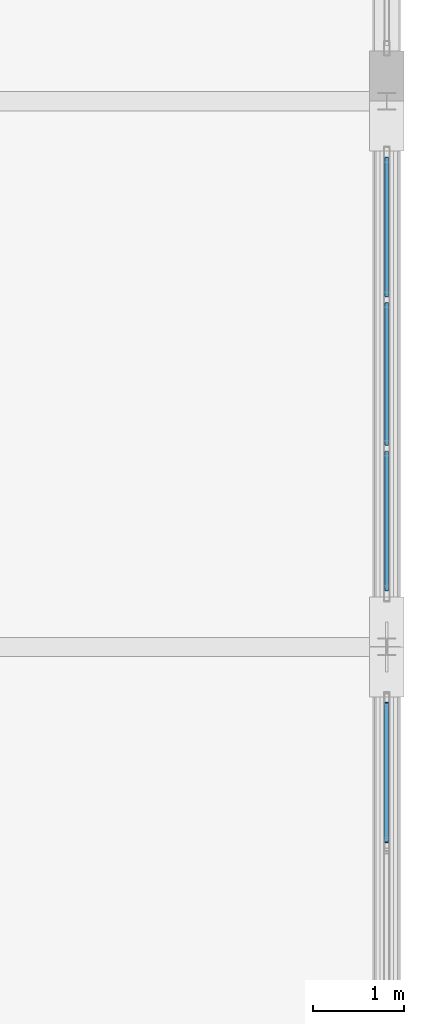
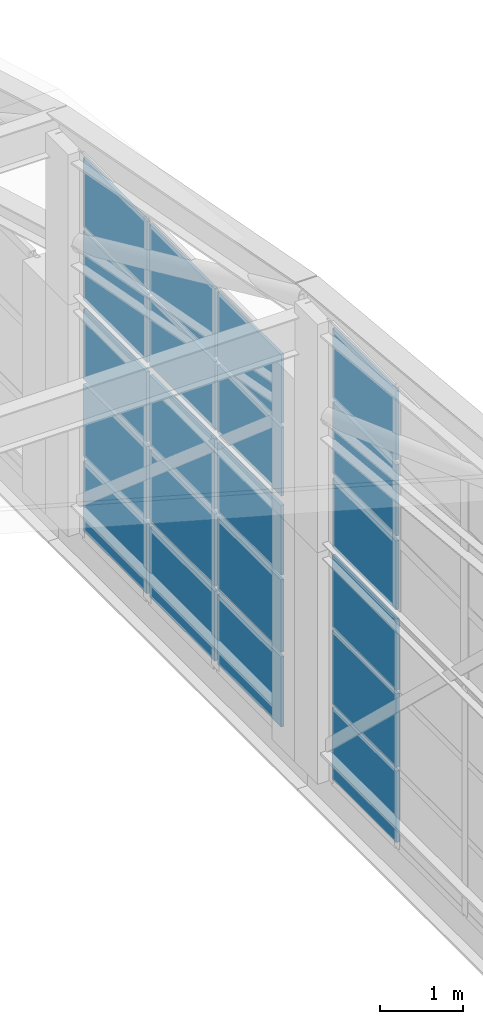
# One storey, part 165 of 204: 21 plates, 4 elements without a shape of their own.
"""IFC4 building model written with IfcOpenShell, lengths in metres."""

from ifc_helpers import new_model, si_unit, direction, frame, origin, origin_2d, place, context, subcontext, project, spatial, rectangle, extrude, material, layer, layer_set, type_object, element, aggregate, save


model = new_model("IFC4")

# Units and contexts
model_context = context("Model", 3, precision=1e-05, world=origin(), true_north=direction((0.0, 1.0)))
body_context = subcontext(model_context, "Body", "Model", "MODEL_VIEW")
ifc_project = project(units=[si_unit("LENGTHUNIT", "METRE"), si_unit("AREAUNIT", "SQUARE_METRE"), si_unit("VOLUMEUNIT", "CUBIC_METRE"), si_unit("PLANEANGLEUNIT", "RADIAN"), si_unit("MASSUNIT", "GRAM", prefix="KILO")], contexts=[model_context])

# Site, building, storey
site_placement = place(None, origin())
site = spatial("IfcSite", under=ifc_project, at=site_placement, CompositionType="ELEMENT")
building_placement = place(site_placement, origin())
building = spatial("IfcBuilding", under=site, at=building_placement, Name="Zilviju Railside Exhibition Hall", CompositionType="ELEMENT")
storey_placement = place(building_placement, frame((0.0, 0.0, 21.0)))
storey = spatial("IfcBuildingStorey", under=building, at=storey_placement, Name="RF", CompositionType="ELEMENT", Elevation=21.0)

# Curtain wall, plates
ifc_material_1 = material(Name="Thermally broken aluminium-steel triple-glazed curtain wall", Category="steel")
ifc_layer_1 = layer(ifc_material_1, 0.179931640625)
ifc_layer_set_1 = layer_set([ifc_layer_1], Name="Thermally broken aluminium-steel triple-glazed curtain wall")
curtain_wall_type_1 = type_object("IfcCurtainWallType", Name="CW-BAY-06", PredefinedType="USERDEFINED", material=ifc_layer_set_1)
curtain_wall_1_placement = place(storey_placement, origin())
curtain_wall_1 = element("IfcCurtainWall", 1, at=curtain_wall_1_placement, inside=storey, type_object=curtain_wall_type_1, Name="North Hall Crown Arch Tympanum Glazing East P7", ObjectType="GLAZED CURTAIN WALL", PredefinedType="USERDEFINED")
ifc_material_2 = material(Name="Triple-glazed solar-control glass unit", Category="glass")
ifc_layer_2 = layer(ifc_material_2, 0.0380859375)
ifc_layer_set_2 = layer_set([ifc_layer_2], Name="Triple-glazed solar-control glass unit")
plate_type_1 = type_object("IfcPlateType", Name="CWP-IGU-38", PredefinedType="CURTAIN_PANEL", material=ifc_layer_set_2)
plate_1_placement = place(storey_placement, frame((216.0, 124.6171875, -0.13525390625), z_axis=(0.0, 0.0, 1.0), x_axis=(0.0, -1.0, 0.0)))
plate_1 = element("IfcPlate", 2, at=plate_1_placement, type_object=plate_type_1, Name="CW-06 panel 1.1", PredefinedType="CURTAIN_PANEL", context=body_context, shape_type="SweptSolid", body=[
    extrude(rectangle(XDim=1.535888671875, YDim=0.0380859375, at=origin_2d()), origin(), (0.0, 0.0, 1.0), 1.007568359375),
])
plate_2_placement = place(storey_placement, frame((216.0, 124.6171875, 0.9375), z_axis=(0.0, 0.0, 1.0), x_axis=(0.0, -1.0, 0.0)))
plate_2 = element("IfcPlate", 3, at=plate_2_placement, type_object=plate_type_1, Name="CW-06 panel 1.2", PredefinedType="CURTAIN_PANEL", context=body_context, shape_type="SweptSolid", body=[
    extrude(rectangle(XDim=1.535888671875, YDim=0.0380859375, at=origin_2d()), origin(), (0.0, 0.0, 1.0), 1.00732421875),
])
plate_3_placement = place(storey_placement, frame((216.0, 123.0, -0.13525390625), z_axis=(0.0, 0.0, 1.0), x_axis=(0.0, -1.0, 0.0)))
plate_3 = element("IfcPlate", 4, at=plate_3_placement, type_object=plate_type_1, Name="CW-06 panel 2.1", PredefinedType="CURTAIN_PANEL", context=body_context, shape_type="SweptSolid", body=[
    extrude(rectangle(XDim=1.568359375, YDim=0.0380859375, at=origin_2d()), origin(), (0.0, 0.0, 1.0), 1.007568359375),
])
plate_4_placement = place(storey_placement, frame((216.0, 123.0, 0.9375), z_axis=(0.0, 0.0, 1.0), x_axis=(0.0, -1.0, 0.0)))
plate_4 = element("IfcPlate", 5, at=plate_4_placement, type_object=plate_type_1, Name="CW-06 panel 2.2", PredefinedType="CURTAIN_PANEL", context=body_context, shape_type="SweptSolid", body=[
    extrude(rectangle(XDim=1.568359375, YDim=0.0380859375, at=origin_2d()), origin(), (0.0, 0.0, 1.0), 1.00732421875),
])
plate_5_placement = place(storey_placement, frame((216.0, 121.3828125, -0.13525390625), z_axis=(0.0, 0.0, 1.0), x_axis=(0.0, -1.0, 0.0)))
plate_5 = element("IfcPlate", 6, at=plate_5_placement, type_object=plate_type_1, Name="CW-06 panel 3.1", PredefinedType="CURTAIN_PANEL", context=body_context, shape_type="SweptSolid", body=[
    extrude(rectangle(XDim=1.535888671875, YDim=0.0380859375, at=origin_2d()), origin(), (0.0, 0.0, 1.0), 1.007568359375),
])
plate_6_placement = place(storey_placement, frame((216.0, 121.3828125, 0.9375), z_axis=(0.0, 0.0, 1.0), x_axis=(0.0, -1.0, 0.0)))
plate_6 = element("IfcPlate", 7, at=plate_6_placement, type_object=plate_type_1, Name="CW-06 panel 3.2", PredefinedType="CURTAIN_PANEL", context=body_context, shape_type="SweptSolid", body=[
    extrude(rectangle(XDim=1.535888671875, YDim=0.0380859375, at=origin_2d()), origin(), (0.0, 0.0, 1.0), 1.00732421875),
])
aggregate(curtain_wall_1, [plate_1, plate_2, plate_3, plate_4, plate_5, plate_6])

ifc_layer_3 = layer(ifc_material_1, 0.179931640625)
ifc_layer_set_3 = layer_set([ifc_layer_3], Name="Thermally broken aluminium-steel triple-glazed curtain wall")
curtain_wall_type_2 = type_object("IfcCurtainWallType", Name="CW-BAY-18", PredefinedType="USERDEFINED", material=ifc_layer_set_3)
curtain_wall_2_placement = place(storey_placement, origin())
curtain_wall_2 = element("IfcCurtainWall", 8, at=curtain_wall_2_placement, inside=storey, type_object=curtain_wall_type_2, Name="North Hall Arch Lower Tympanum Glazing East P6", ObjectType="GLAZED CURTAIN WALL", PredefinedType="USERDEFINED")
ifc_material_3 = material(Name="Triple-glazed low-E argon insulating glass unit", Category="glass")
ifc_layer_4 = layer(ifc_material_3, 0.0439453125)
ifc_layer_set_4 = layer_set([ifc_layer_4], Name="Triple-glazed low-E argon insulating glass unit")
plate_type_2 = type_object("IfcPlateType", Name="CWP-IGU-44", PredefinedType="CURTAIN_PANEL", material=ifc_layer_set_4)
plate_7_placement = place(storey_placement, frame((216.0, 118.61962890625, -3.544921875), z_axis=(0.0, 0.0, 1.0), x_axis=(0.0, -1.0, 0.0)))
plate_7 = element("IfcPlate", 9, at=plate_7_placement, type_object=plate_type_2, Name="CW-18 panel 1.1", PredefinedType="CURTAIN_PANEL", context=body_context, shape_type="SweptSolid", body=[
    extrude(rectangle(XDim=1.55078125, YDim=0.0439453125, at=origin_2d()), origin(), (0.0, 0.0, 1.0), 1.050537109375),
])
plate_8_placement = place(storey_placement, frame((216.0, 118.61962890625, -2.439453125), z_axis=(0.0, 0.0, 1.0), x_axis=(0.0, -1.0, 0.0)))
plate_8 = element("IfcPlate", 10, at=plate_8_placement, type_object=plate_type_2, Name="CW-18 panel 1.2", PredefinedType="CURTAIN_PANEL", context=body_context, shape_type="SweptSolid", body=[
    extrude(rectangle(XDim=1.55078125, YDim=0.0439453125, at=origin_2d()), origin(), (0.0, 0.0, 1.0), 1.0791015625),
])
plate_9_placement = place(storey_placement, frame((216.0, 118.61962890625, -1.3056640625), z_axis=(0.0, 0.0, 1.0), x_axis=(0.0, -1.0, 0.0)))
plate_9 = element("IfcPlate", 11, at=plate_9_placement, type_object=plate_type_2, Name="CW-18 panel 1.3", PredefinedType="CURTAIN_PANEL", context=body_context, shape_type="SweptSolid", body=[
    extrude(rectangle(XDim=1.55078125, YDim=0.0439453125, at=origin_2d()), origin(), (0.0, 0.0, 1.0), 1.050537109375),
])
aggregate(curtain_wall_2, [plate_7, plate_8, plate_9])

ifc_layer_5 = layer(ifc_material_1, 0.179931640625)
ifc_layer_set_5 = layer_set([ifc_layer_5], Name="Thermally broken aluminium-steel triple-glazed curtain wall")
curtain_wall_type_3 = type_object("IfcCurtainWallType", Name="CW-BAY-19", PredefinedType="USERDEFINED", material=ifc_layer_set_5)
curtain_wall_3_placement = place(storey_placement, origin())
curtain_wall_3 = element("IfcCurtainWall", 12, at=curtain_wall_3_placement, inside=storey, type_object=curtain_wall_type_3, Name="North Hall Arch Lower Tympanum Glazing East P7", ObjectType="GLAZED CURTAIN WALL", PredefinedType="USERDEFINED")
plate_10_placement = place(storey_placement, frame((216.0, 124.61572265625, -3.5302734375), z_axis=(0.0, 0.0, 1.0), x_axis=(0.0, -1.0, 0.0)))
plate_10 = element("IfcPlate", 13, at=plate_10_placement, type_object=plate_type_2, Name="CW-19 panel 1.1", PredefinedType="CURTAIN_PANEL", context=body_context, shape_type="SweptSolid", body=[
    extrude(rectangle(XDim=1.5283203125, YDim=0.0439453125, at=origin_2d()), origin(), (0.0, 0.0, 1.0), 1.028076171875),
])
plate_11_placement = place(storey_placement, frame((216.0, 124.61572265625, -2.431884765625), z_axis=(0.0, 0.0, 1.0), x_axis=(0.0, -1.0, 0.0)))
plate_11 = element("IfcPlate", 14, at=plate_11_placement, type_object=plate_type_2, Name="CW-19 panel 1.2", PredefinedType="CURTAIN_PANEL", context=body_context, shape_type="SweptSolid", body=[
    extrude(rectangle(XDim=1.5283203125, YDim=0.0439453125, at=origin_2d()), origin(), (0.0, 0.0, 1.0), 1.06396484375),
])
plate_12_placement = place(storey_placement, frame((216.0, 124.61572265625, -1.2978515625), z_axis=(0.0, 0.0, 1.0), x_axis=(0.0, -1.0, 0.0)))
plate_12 = element("IfcPlate", 15, at=plate_12_placement, type_object=plate_type_2, Name="CW-19 panel 1.3", PredefinedType="CURTAIN_PANEL", context=body_context, shape_type="SweptSolid", body=[
    extrude(rectangle(XDim=1.5283203125, YDim=0.0439453125, at=origin_2d()), origin(), (0.0, 0.0, 1.0), 1.028076171875),
])
plate_13_placement = place(storey_placement, frame((216.0, 123.0, -3.5302734375), z_axis=(0.0, 0.0, 1.0), x_axis=(0.0, -1.0, 0.0)))
plate_13 = element("IfcPlate", 16, at=plate_13_placement, type_object=plate_type_2, Name="CW-19 panel 2.1", PredefinedType="CURTAIN_PANEL", context=body_context, shape_type="SweptSolid", body=[
    extrude(rectangle(XDim=1.563232421875, YDim=0.0439453125, at=origin_2d()), origin(), (0.0, 0.0, 1.0), 1.028076171875),
])
plate_14_placement = place(storey_placement, frame((216.0, 123.0, -2.431884765625), z_axis=(0.0, 0.0, 1.0), x_axis=(0.0, -1.0, 0.0)))
plate_14 = element("IfcPlate", 17, at=plate_14_placement, type_object=plate_type_2, Name="CW-19 panel 2.2", PredefinedType="CURTAIN_PANEL", context=body_context, shape_type="SweptSolid", body=[
    extrude(rectangle(XDim=1.563232421875, YDim=0.0439453125, at=origin_2d()), origin(), (0.0, 0.0, 1.0), 1.06396484375),
])
plate_15_placement = place(storey_placement, frame((216.0, 123.0, -1.2978515625), z_axis=(0.0, 0.0, 1.0), x_axis=(0.0, -1.0, 0.0)))
plate_15 = element("IfcPlate", 18, at=plate_15_placement, type_object=plate_type_2, Name="CW-19 panel 2.3", PredefinedType="CURTAIN_PANEL", context=body_context, shape_type="SweptSolid", body=[
    extrude(rectangle(XDim=1.563232421875, YDim=0.0439453125, at=origin_2d()), origin(), (0.0, 0.0, 1.0), 1.028076171875),
])
plate_16_placement = place(storey_placement, frame((216.0, 121.38427734375, -3.5302734375), z_axis=(0.0, 0.0, 1.0), x_axis=(0.0, -1.0, 0.0)))
plate_16 = element("IfcPlate", 19, at=plate_16_placement, type_object=plate_type_2, Name="CW-19 panel 3.1", PredefinedType="CURTAIN_PANEL", context=body_context, shape_type="SweptSolid", body=[
    extrude(rectangle(XDim=1.5283203125, YDim=0.0439453125, at=origin_2d()), origin(), (0.0, 0.0, 1.0), 1.028076171875),
])
plate_17_placement = place(storey_placement, frame((216.0, 121.38427734375, -2.431884765625), z_axis=(0.0, 0.0, 1.0), x_axis=(0.0, -1.0, 0.0)))
plate_17 = element("IfcPlate", 20, at=plate_17_placement, type_object=plate_type_2, Name="CW-19 panel 3.2", PredefinedType="CURTAIN_PANEL", context=body_context, shape_type="SweptSolid", body=[
    extrude(rectangle(XDim=1.5283203125, YDim=0.0439453125, at=origin_2d()), origin(), (0.0, 0.0, 1.0), 1.06396484375),
])
plate_18_placement = place(storey_placement, frame((216.0, 121.38427734375, -1.2978515625), z_axis=(0.0, 0.0, 1.0), x_axis=(0.0, -1.0, 0.0)))
plate_18 = element("IfcPlate", 21, at=plate_18_placement, type_object=plate_type_2, Name="CW-19 panel 3.3", PredefinedType="CURTAIN_PANEL", context=body_context, shape_type="SweptSolid", body=[
    extrude(rectangle(XDim=1.5283203125, YDim=0.0439453125, at=origin_2d()), origin(), (0.0, 0.0, 1.0), 1.028076171875),
])
aggregate(curtain_wall_3, [plate_10, plate_11, plate_12, plate_13, plate_14, plate_15, plate_16, plate_17, plate_18])

ifc_layer_6 = layer(ifc_material_1, 0.179931640625)
ifc_layer_set_6 = layer_set([ifc_layer_6], Name="Thermally broken aluminium-steel triple-glazed curtain wall")
curtain_wall_type_4 = type_object("IfcCurtainWallType", Name="CW-BAY-05", PredefinedType="USERDEFINED", material=ifc_layer_set_6)
curtain_wall_4_placement = place(storey_placement, origin())
curtain_wall_4 = element("IfcCurtainWall", 22, at=curtain_wall_4_placement, inside=storey, type_object=curtain_wall_type_4, Name="North Hall Crown Arch Tympanum Glazing East P6", ObjectType="GLAZED CURTAIN WALL", PredefinedType="USERDEFINED")
plate_19_placement = place(storey_placement, frame((216.0, 118.61572265625, -0.1298828125), z_axis=(0.0, 0.0, 1.0), x_axis=(0.0, -1.0, 0.0)))
plate_19 = element("IfcPlate", 23, at=plate_19_placement, type_object=plate_type_2, Name="CW-05 panel 1.1", PredefinedType="CURTAIN_PANEL", context=body_context, shape_type="SweptSolid", body=[
    extrude(rectangle(XDim=1.5283203125, YDim=0.0439453125, at=origin_2d()), origin(), (0.0, 0.0, 1.0), 1.013916015625),
])
plate_20_placement = place(storey_placement, frame((216.0, 118.61572265625, 0.9541015625), z_axis=(0.0, 0.0, 1.0), x_axis=(0.0, -1.0, 0.0)))
plate_20 = element("IfcPlate", 24, at=plate_20_placement, type_object=plate_type_2, Name="CW-05 panel 1.2", PredefinedType="CURTAIN_PANEL", context=body_context, shape_type="SweptSolid", body=[
    extrude(rectangle(XDim=1.5283203125, YDim=0.0439453125, at=origin_2d()), origin(), (0.0, 0.0, 1.0), 1.048095703125),
])
plate_21_placement = place(storey_placement, frame((216.0, 118.61572265625, 2.072021484375), z_axis=(0.0, 0.0, 1.0), x_axis=(0.0, -1.0, 0.0)))
plate_21 = element("IfcPlate", 25, at=plate_21_placement, type_object=plate_type_2, Name="CW-05 panel 1.3", PredefinedType="CURTAIN_PANEL", context=body_context, shape_type="SweptSolid", body=[
    extrude(rectangle(XDim=1.5283203125, YDim=0.0439453125, at=origin_2d()), origin(), (0.0, 0.0, 1.0), 1.013671875),
])
aggregate(curtain_wall_4, [plate_19, plate_20, plate_21])

save(model, "model.ifc")
